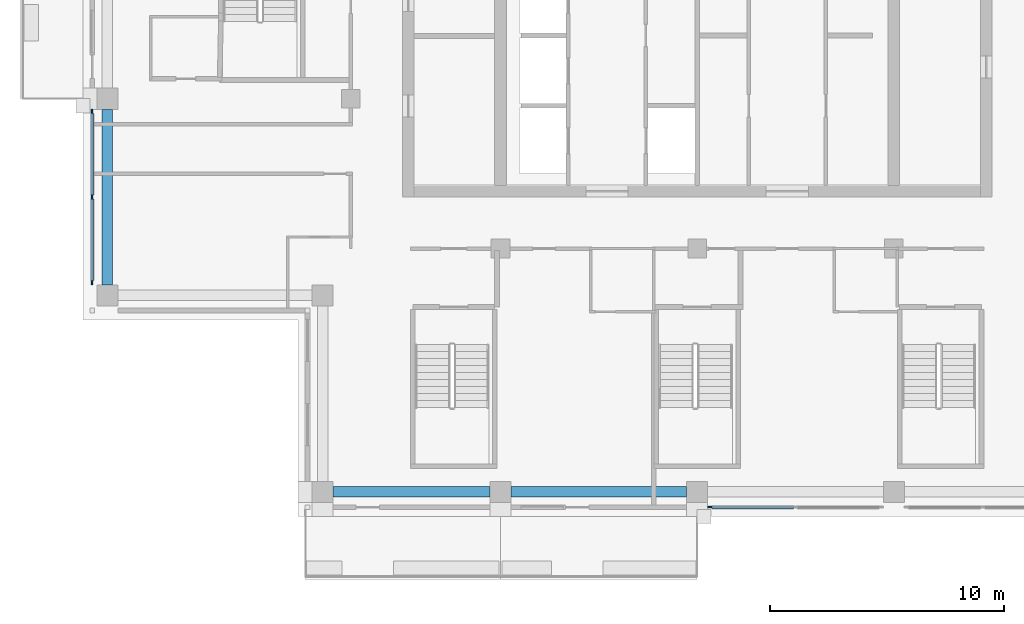
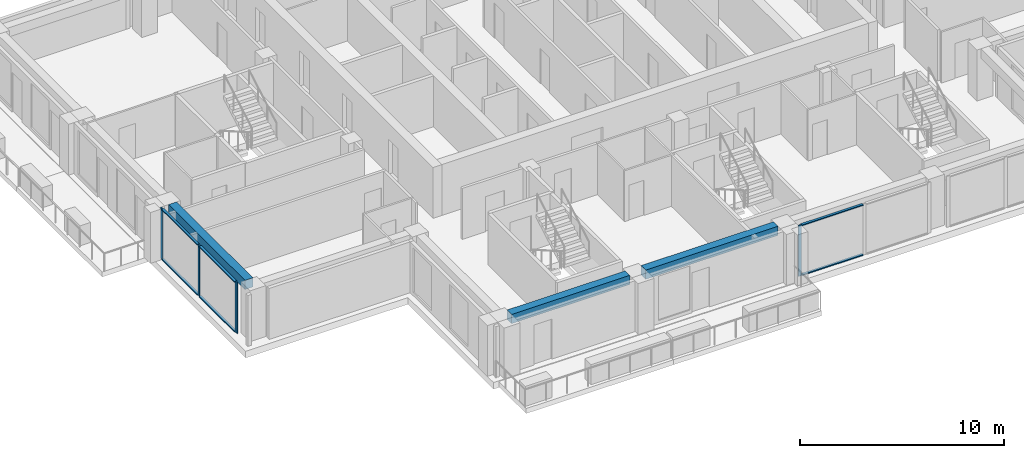
# One storey, part 2 of 16: 10 members, 3 beams, 2 elements without a shape of their own.
"""IFC4 building model written with IfcOpenShell, lengths in metres."""

from ifc_helpers import new_model, si_unit, direction, frame, origin, origin_2d, place, context, subcontext, project, spatial, rectangle, extrude, material, material_profile, profile_set, type_object, element, aggregate, save


model = new_model("IFC4")

# Units and contexts
model_context = context("Model", 3, precision=1e-05, world=origin(), true_north=direction((0.0, 1.0)))
body_context = subcontext(model_context, "Body", "Model", "MODEL_VIEW")
ifc_project = project(units=[si_unit("LENGTHUNIT", "METRE"), si_unit("AREAUNIT", "SQUARE_METRE"), si_unit("VOLUMEUNIT", "CUBIC_METRE"), si_unit("PLANEANGLEUNIT", "RADIAN"), si_unit("MASSUNIT", "GRAM", prefix="KILO")], contexts=[model_context])

# Site, building, storey
site_placement = place(None, origin())
site = spatial("IfcSite", under=ifc_project, at=site_placement, CompositionType="ELEMENT")
building_placement = place(site_placement, origin())
building = spatial("IfcBuilding", under=site, at=building_placement, Name="Vermilion Ogive Tower", CompositionType="ELEMENT")
storey_placement = place(building_placement, frame((0.0, 0.0, 251.050048828125)))
storey = spatial("IfcBuildingStorey", under=building, at=storey_placement, Name="L66", CompositionType="ELEMENT", Elevation=251.050048828125)

# Curtain wall, member
ifc_material_1 = material(Name="Low-iron laminated glazing in aluminium frame", Category="aluminium")
curtain_wall_type = type_object("IfcCurtainWallType", Name="Curtain wall CW7", PredefinedType="NOTDEFINED", material=ifc_material_1)
curtain_wall_1_placement = place(storey_placement, origin())
curtain_wall_1 = element("IfcCurtainWall", 1, at=curtain_wall_1_placement, inside=storey, type_object=curtain_wall_type, Name="Glazed skin S3", PredefinedType="NOTDEFINED")
ifc_material_2 = material(Name="Aluminium mullion", Category="aluminium")
ifc_material_profile_1 = material_profile(ifc_material_2, rectangle(XDim=0.06005859375, YDim=0.179931640625, at=origin_2d()), Name="AL 60x180")
ifc_profile_set_1 = profile_set([ifc_material_profile_1], Name="Aluminium mullion")
member_type_1 = type_object("IfcMemberType", Name="CW7 mullion 60x180", PredefinedType="MULLION", material=ifc_profile_set_1)
member_1_placement = place(storey_placement, frame((0.5400390625, -21.64990234375, 0.0), z_axis=(0.0, 0.0, 1.0), x_axis=(0.0, 1.0, 0.0)))
member_1 = element("IfcMember", 2, at=member_1_placement, type_object=member_type_1, Name="CW7-S3 mullion 1", PredefinedType="MULLION", context=body_context, shape_type="SweptSolid", body=[
    extrude(rectangle(XDim=0.06005859375, YDim=0.179931640625, at=origin_2d()), origin(), (0.0, 0.0, 1.0), 3.050048828125),
])

# Curtain wall, members
curtain_wall_2_placement = place(storey_placement, origin())
curtain_wall_2 = element("IfcCurtainWall", 3, at=curtain_wall_2_placement, inside=storey, type_object=curtain_wall_type, Name="Glazed skin W3", PredefinedType="NOTDEFINED")
member_2_placement = place(storey_placement, frame((-25.85009765625, -4.739990234375, 0.0), z_axis=(0.0, 0.0, 1.0), x_axis=(1.0, 0.0, 0.0)))
member_2 = element("IfcMember", 4, at=member_2_placement, type_object=member_type_1, Name="CW7-W3 mullion 1", PredefinedType="MULLION", context=body_context, shape_type="SweptSolid", body=[
    extrude(rectangle(XDim=0.06005859375, YDim=0.179931640625, at=origin_2d()), origin(), (0.0, 0.0, 1.0), 3.050048828125),
])
member_3_placement = place(storey_placement, frame((-25.85009765625, -8.39990234375, 0.0), z_axis=(0.0, 0.0, 1.0), x_axis=(1.0, 0.0, 0.0)))
member_3 = element("IfcMember", 5, at=member_3_placement, type_object=member_type_1, Name="CW7-W3 mullion 2", PredefinedType="MULLION", context=body_context, shape_type="SweptSolid", body=[
    extrude(rectangle(XDim=0.06005859375, YDim=0.179931640625, at=origin_2d()), origin(), (0.0, 0.0, 1.0), 3.050048828125),
])
member_4_placement = place(storey_placement, frame((-25.85009765625, -12.06005859375, 0.0), z_axis=(0.0, 0.0, 1.0), x_axis=(1.0, 0.0, 0.0)))
member_4 = element("IfcMember", 6, at=member_4_placement, type_object=member_type_1, Name="CW7-W3 mullion 3", PredefinedType="MULLION", context=body_context, shape_type="SweptSolid", body=[
    extrude(rectangle(XDim=0.06005859375, YDim=0.179931640625, at=origin_2d()), origin(), (0.0, 0.0, 1.0), 3.050048828125),
])

# Member
ifc_material_3 = material(Name="Aluminium transom", Category="aluminium")
ifc_material_profile_2 = material_profile(ifc_material_3, rectangle(XDim=0.139892578125, YDim=0.06005859375, at=origin_2d()), Name="AL 60x140")
ifc_profile_set_2 = profile_set([ifc_material_profile_2], Name="Aluminium transom")
member_type_2 = type_object("IfcMemberType", Name="CW7 transom 60x140", PredefinedType="USERDEFINED", material=ifc_profile_set_2)
member_5_placement = place(storey_placement, frame((0.6298828125, -21.64990234375, 0.030029296875), z_axis=(1.0, 0.0, 0.0), x_axis=(0.0, 1.0, 0.0)))
member_5 = element("IfcMember", 7, at=member_5_placement, type_object=member_type_2, Name="CW7-S3 transom 1.1", ObjectType="TRANSOM", PredefinedType="USERDEFINED", context=body_context, shape_type="SweptSolid", body=[
    extrude(rectangle(XDim=0.139892578125, YDim=0.06005859375, at=origin_2d()), origin(), (0.0, 0.0, 1.0), 3.480224609375),
])

member_6_placement = place(storey_placement, frame((0.6298828125, -21.64990234375, 3.02001953125), z_axis=(1.0, 0.0, 0.0), x_axis=(0.0, 1.0, 0.0)))
member_6 = element("IfcMember", 8, at=member_6_placement, type_object=member_type_2, Name="CW7-S3 transom 1.2", ObjectType="TRANSOM", PredefinedType="USERDEFINED", context=body_context, shape_type="SweptSolid", body=[
    extrude(rectangle(XDim=0.139892578125, YDim=0.06005859375, at=origin_2d()), origin(), (0.0, 0.0, 1.0), 3.480224609375),
])

aggregate(curtain_wall_1, [member_1, member_5, member_6])

member_7_placement = place(storey_placement, frame((-25.85009765625, -4.830078125, 0.030029296875), z_axis=(0.0, -1.0, 0.0), x_axis=(1.0, 0.0, 0.0)))
member_7 = element("IfcMember", 9, at=member_7_placement, type_object=member_type_2, Name="CW7-W3 transom 1.1", ObjectType="TRANSOM", PredefinedType="USERDEFINED", context=body_context, shape_type="SweptSolid", body=[
    extrude(rectangle(XDim=0.139892578125, YDim=0.06005859375, at=origin_2d()), origin(), (0.0, 0.0, 1.0), 3.47998046875),
])

member_8_placement = place(storey_placement, frame((-25.85009765625, -4.830078125, 3.02001953125), z_axis=(0.0, -1.0, 0.0), x_axis=(1.0, 0.0, 0.0)))
member_8 = element("IfcMember", 10, at=member_8_placement, type_object=member_type_2, Name="CW7-W3 transom 1.2", ObjectType="TRANSOM", PredefinedType="USERDEFINED", context=body_context, shape_type="SweptSolid", body=[
    extrude(rectangle(XDim=0.139892578125, YDim=0.06005859375, at=origin_2d()), origin(), (0.0, 0.0, 1.0), 3.47998046875),
])

member_9_placement = place(storey_placement, frame((-25.85009765625, -8.489990234375, 0.030029296875), z_axis=(0.0, -1.0, 0.0), x_axis=(1.0, 0.0, 0.0)))
member_9 = element("IfcMember", 11, at=member_9_placement, type_object=member_type_2, Name="CW7-W3 transom 2.1", ObjectType="TRANSOM", PredefinedType="USERDEFINED", context=body_context, shape_type="SweptSolid", body=[
    extrude(rectangle(XDim=0.139892578125, YDim=0.06005859375, at=origin_2d()), origin(), (0.0, 0.0, 1.0), 3.47998046875),
])

member_10_placement = place(storey_placement, frame((-25.85009765625, -8.489990234375, 3.02001953125), z_axis=(0.0, -1.0, 0.0), x_axis=(1.0, 0.0, 0.0)))
member_10 = element("IfcMember", 12, at=member_10_placement, type_object=member_type_2, Name="CW7-W3 transom 2.2", ObjectType="TRANSOM", PredefinedType="USERDEFINED", context=body_context, shape_type="SweptSolid", body=[
    extrude(rectangle(XDim=0.139892578125, YDim=0.06005859375, at=origin_2d()), origin(), (0.0, 0.0, 1.0), 3.47998046875),
])

aggregate(curtain_wall_2, [member_2, member_3, member_4, member_7, member_8, member_9, member_10])

# Beams
ifc_material_4 = material(Name="Concrete B45", Category="concrete")
ifc_material_profile_3 = material_profile(ifc_material_4, rectangle(XDim=0.449951171875, YDim=0.550048828125, at=origin_2d()), Name="450 x 550")
ifc_profile_set_3 = profile_set([ifc_material_profile_3], Name="Concrete B45")
beam_type = type_object("IfcBeamType", Name="Edge beam 450 x 550 B45", PredefinedType="BEAM", material=ifc_profile_set_3)
beam_placement = place(storey_placement, frame((-15.550048828125, -21.0, 2.77490234375), z_axis=(1.0, 0.0, 0.0), x_axis=(0.0, 1.0, 0.0)))
element("IfcBeam", 13, at=beam_placement, inside=storey, type_object=beam_type, Name="L66-EB-1", PredefinedType="BEAM", context=body_context, shape_type="SweptSolid", body=[
    extrude(rectangle(XDim=0.449951171875, YDim=0.550048828125, at=origin_2d()), origin(), (0.0, 0.0, 1.0), 6.699951171875),
])
for number, where, z_axis, x_axis, name in (
    (14, (-7.949951171875, -21.0, 2.77490234375), (1.0, 0.0, 0.0), (0.0, 1.0, 0.0), "L66-EB-2"),
    (15, (-25.199951171875, -4.64990234375, 2.77490234375), (0.0, -1.0, 0.0), (1.0, 0.0, 0.0), "L66-EB-16"),
):
    element("IfcBeam", number, at=place(storey_placement, frame(where, z_axis=z_axis, x_axis=x_axis)), inside=storey, type_object=beam_type, Name=name, PredefinedType="BEAM", context=body_context, shape_type="SweptSolid", body=[
        extrude(rectangle(XDim=0.449951171875, YDim=0.550048828125, at=origin_2d()), origin(), (0.0, 0.0, 1.0), 7.5),
    ])

save(model, "model.ifc")
